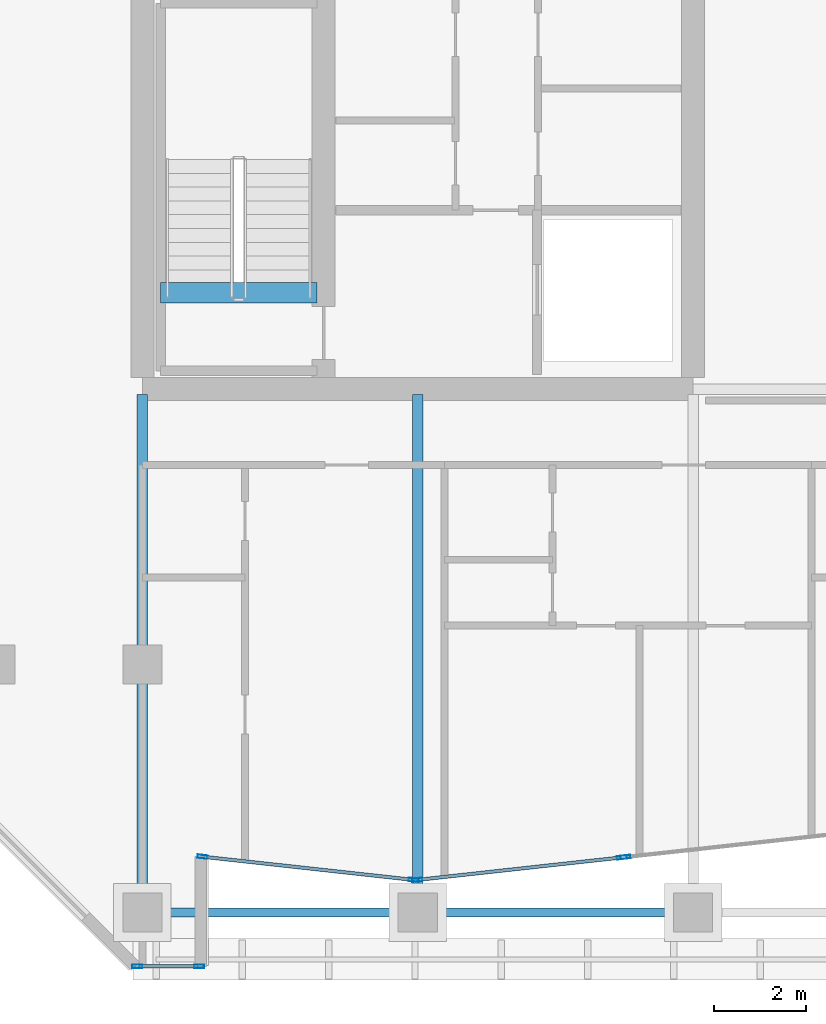
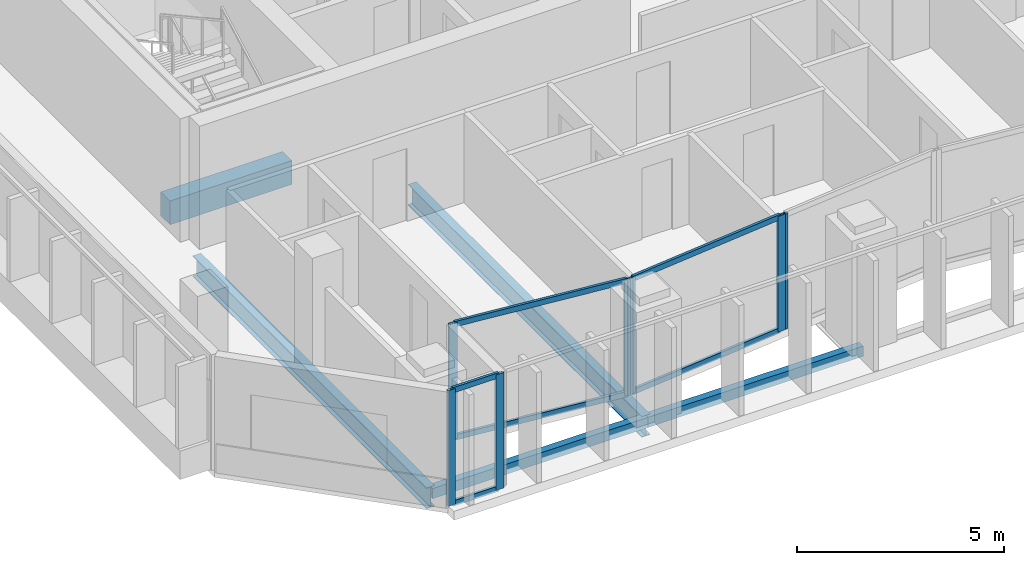
# One storey, part 2 of 29: 13 members, 5 beams, 4 elements without a shape of their own.
"""IFC4 building model written with IfcOpenShell, lengths in metres."""

from ifc_helpers import new_model, si_unit, direction, frame, origin, origin_2d, place, context, subcontext, project, spatial, rectangle, hollow_rectangle, i_section, extrude, material, layer, layer_set, material_profile, profile_set, type_object, element, aggregate, save


model = new_model("IFC4")

# Units and contexts
model_context = context("Model", 3, precision=1e-05, world=origin(), true_north=direction((0.0, 1.0)))
body_context = subcontext(model_context, "Body", "Model", "MODEL_VIEW")
ifc_project = project(units=[si_unit("LENGTHUNIT", "METRE"), si_unit("AREAUNIT", "SQUARE_METRE"), si_unit("VOLUMEUNIT", "CUBIC_METRE"), si_unit("PLANEANGLEUNIT", "RADIAN"), si_unit("MASSUNIT", "GRAM", prefix="KILO")], contexts=[model_context])

# Site, building, storey
site_placement = place(None, origin())
site = spatial("IfcSite", under=ifc_project, at=site_placement, CompositionType="ELEMENT")
building_placement = place(site_placement, origin())
building = spatial("IfcBuilding", under=site, at=building_placement, Name="Tanjung Sevakor Pilgrim Tower", CompositionType="ELEMENT")
storey_placement = place(building_placement, frame((0.0, 0.0, 162.030029296875)))
storey = spatial("IfcBuildingStorey", under=building, at=storey_placement, Name="L45", CompositionType="ELEMENT", Elevation=162.030029296875)

# Beams
ifc_material_1 = material(Name="Steel S355J2", Category="steel")
ifc_material_profile_1 = material_profile(ifc_material_1, i_section(OverallWidth=0.22900390625, OverallDepth=0.6123046875, WebThickness=0.011962890625, FlangeThickness=0.01953125, FilletRadius=0.0126953125, at=origin_2d()))
ifc_profile_set_1 = profile_set([ifc_material_profile_1], Name="Steel S355J2")
beam_type_1 = type_object("IfcBeamType", Name="BM-B-G4-UB_610x229x125", PredefinedType="BEAM", material=ifc_profile_set_1)
for number, where, z_axis, x_axis, name in (
    (1, (24.0, 13.199951171875, -0.526123046875), (0.0, 1.0, 0.0), (-1.0, 0.0, 0.0), "L45 MAIN Girder 001"),
    (2, (30.0, 13.199951171875, -0.526123046875), (0.0, 1.0, 0.0), (-1.0, 0.0, 0.0), "L45 MAIN Girder 003"),
):
    element("IfcBeam", number, at=place(storey_placement, frame(where, z_axis=z_axis, x_axis=x_axis)), inside=storey, type_object=beam_type_1, Name=name, PredefinedType="BEAM", context=body_context, shape_type="SweptSolid", body=[
        extrude(i_section(OverallWidth=0.22900390625, OverallDepth=0.6123046875, WebThickness=0.011962890625, FlangeThickness=0.01953125, FilletRadius=0.0126953125, at=origin_2d()), origin(), (0.0, 0.0, 1.0), 11.284912109375),
    ])
ifc_material_2 = material(Name="Concrete C60/75", Category="concrete")
ifc_material_profile_2 = material_profile(ifc_material_2, rectangle(XDim=0.449951171875, YDim=0.699951171875, at=origin_2d()))
ifc_profile_set_2 = profile_set([ifc_material_profile_2], Name="Concrete C60/75")
beam_type_2 = type_object("IfcBeamType", Name="BM-B-LN3-RC-BM_450x700", PredefinedType="LINTEL", material=ifc_profile_set_2)
beam_placement = place(storey_placement, frame((24.39990234375, 26.699951171875, -0.35009765625), z_axis=(1.0, 0.0, 0.0), x_axis=(0.0, 1.0, 0.0)))
element("IfcBeam", 3, at=beam_placement, inside=storey, type_object=beam_type_2, Name="L45 TS-W1 Stair Threshold Beam", PredefinedType="LINTEL", context=body_context, shape_type="SweptSolid", body=[
    extrude(rectangle(XDim=0.449951171875, YDim=0.699951171875, at=origin_2d()), origin(), (0.0, 0.0, 1.0), 3.400146484375),
])
ifc_material_3 = material(Name="Steel S355J2", Category="steel")
ifc_material_profile_3 = material_profile(ifc_material_3, hollow_rectangle(XDim=0.199951171875, YDim=0.300048828125, WallThickness=0.012451171875, at=origin_2d()))
ifc_profile_set_3 = profile_set([ifc_material_profile_3], Name="Steel S355J2")
beam_type_3 = type_object("IfcBeamType", Name="BM-B-SP3-RHS_300x200x12.5", PredefinedType="SPANDREL", material=ifc_profile_set_3)
for number, where, z_axis, x_axis, name in (
    (4, (24.0, 13.199951171875, -0.3701171875), (1.0, 0.0, 0.0), (0.0, 1.0, 0.0), "L45 Spandrel MAIN S-01"),
    (5, (30.0, 13.199951171875, -0.3701171875), (1.0, 0.0, 0.0), (0.0, 1.0, 0.0), "L45 Spandrel MAIN S-03"),
):
    element("IfcBeam", number, at=place(storey_placement, frame(where, z_axis=z_axis, x_axis=x_axis)), inside=storey, type_object=beam_type_3, Name=name, PredefinedType="SPANDREL", context=body_context, shape_type="SweptSolid", body=[
        extrude(hollow_rectangle(XDim=0.199951171875, YDim=0.300048828125, WallThickness=0.012451171875, at=origin_2d()), origin(), (0.0, 0.0, 1.0), 6.0),
    ])

# Curtain wall, members
ifc_material_4 = material(Name="Aluminium 6063-T6 and Low-E Glass", Category="aluminium")
ifc_layer = layer(ifc_material_4, 0.199951171875)
ifc_layer_set = layer_set([ifc_layer], Name="CW-SYS-PRAY")
curtain_wall_type = type_object("IfcCurtainWallType", Name="CW-SYS-PRAY", PredefinedType="NOTDEFINED", material=ifc_layer_set)
curtain_wall_1_placement = place(storey_placement, origin())
curtain_wall_1 = element("IfcCurtainWall", 6, at=curtain_wall_1_placement, inside=storey, type_object=curtain_wall_type, Name="L45 Curtain Wall CW-PRY-L45-0", PredefinedType="NOTDEFINED")
ifc_material_5 = material(Name="Aluminium 6063-T6", Category="aluminium")
ifc_material_profile_4 = material_profile(ifc_material_5, hollow_rectangle(XDim=0.074951171875, YDim=0.219970703125, WallThickness=0.0048828125, at=origin_2d()))
ifc_profile_set_4 = profile_set([ifc_material_profile_4], Name="Aluminium 6063-T6")
member_type_1 = type_object("IfcMemberType", Name="TYPE-CWM-2", PredefinedType="MULLION", material=ifc_profile_set_4)
member_1_placement = place(storey_placement, frame((23.889404296875, 12.02490234375, 0.0), z_axis=(0.0, 0.0, 1.0), x_axis=(0.0, 1.0, 0.0)))
member_1 = element("IfcMember", 7, at=member_1_placement, type_object=member_type_1, Name="CW-PRY mullion 1", PredefinedType="MULLION", context=body_context, shape_type="SweptSolid", body=[
    extrude(hollow_rectangle(XDim=0.074951171875, YDim=0.219970703125, WallThickness=0.0048828125, at=origin_2d()), origin(), (0.0, 0.0, 1.0), 3.409912109375),
])
member_2_placement = place(storey_placement, frame((25.237548828125, 12.02490234375, 0.0), z_axis=(0.0, 0.0, 1.0), x_axis=(0.0, 1.0, 0.0)))
member_2 = element("IfcMember", 8, at=member_2_placement, type_object=member_type_1, Name="CW-PRY mullion 2", PredefinedType="MULLION", context=body_context, shape_type="SweptSolid", body=[
    extrude(hollow_rectangle(XDim=0.074951171875, YDim=0.219970703125, WallThickness=0.0048828125, at=origin_2d()), origin(), (0.0, 0.0, 1.0), 3.409912109375),
])

curtain_wall_2_placement = place(storey_placement, origin())
curtain_wall_2 = element("IfcCurtainWall", 9, at=curtain_wall_2_placement, inside=storey, type_object=curtain_wall_type, Name="L45 Curtain Wall CW-PRY-L45-2", PredefinedType="NOTDEFINED")
member_3_placement = place(storey_placement, frame((25.312255859375, 14.415283203125, 0.0), z_axis=(0.0, 0.0, 1.0), x_axis=(0.109224933332, 0.994017059179, 0.0)))
member_3 = element("IfcMember", 10, at=member_3_placement, type_object=member_type_1, Name="CW-PRY mullion 1", PredefinedType="MULLION", context=body_context, shape_type="SweptSolid", body=[
    extrude(hollow_rectangle(XDim=0.074951171875, YDim=0.219970703125, WallThickness=0.0048828125, at=origin_2d()), origin(), (0.0, 0.0, 1.0), 3.409912109375),
])
member_4_placement = place(storey_placement, frame((29.912841796875, 13.909912109375, 0.0), z_axis=(0.0, 0.0, 1.0), x_axis=(0.109224933332, 0.994017059179, 0.0)))
member_4 = element("IfcMember", 11, at=member_4_placement, type_object=member_type_1, Name="CW-PRY mullion 2", PredefinedType="MULLION", context=body_context, shape_type="SweptSolid", body=[
    extrude(hollow_rectangle(XDim=0.074951171875, YDim=0.219970703125, WallThickness=0.0048828125, at=origin_2d()), origin(), (0.0, 0.0, 1.0), 3.409912109375),
])

curtain_wall_3_placement = place(storey_placement, origin())
curtain_wall_3 = element("IfcCurtainWall", 12, at=curtain_wall_3_placement, inside=storey, type_object=curtain_wall_type, Name="L45 Curtain Wall CW-PRY-L45-3", PredefinedType="NOTDEFINED")
member_5_placement = place(storey_placement, frame((29.9873046875, 13.909912109375, 0.0), z_axis=(0.0, 0.0, 1.0), x_axis=(-0.109233741488, 0.994016091278, 0.0)))
member_5 = element("IfcMember", 13, at=member_5_placement, type_object=member_type_1, Name="CW-PRY mullion 1", PredefinedType="MULLION", context=body_context, shape_type="SweptSolid", body=[
    extrude(hollow_rectangle(XDim=0.074951171875, YDim=0.219970703125, WallThickness=0.0048828125, at=origin_2d()), origin(), (0.0, 0.0, 1.0), 3.409912109375),
])
member_6_placement = place(storey_placement, frame((34.448974609375, 14.400146484375, 0.0), z_axis=(0.0, 0.0, 1.0), x_axis=(-0.109233741488, 0.994016091278, 0.0)))
member_6 = element("IfcMember", 14, at=member_6_placement, type_object=member_type_1, Name="CW-PRY mullion 2", PredefinedType="MULLION", context=body_context, shape_type="SweptSolid", body=[
    extrude(hollow_rectangle(XDim=0.074951171875, YDim=0.219970703125, WallThickness=0.0048828125, at=origin_2d()), origin(), (0.0, 0.0, 1.0), 3.409912109375),
])

# Curtain wall, member
curtain_wall_4_placement = place(storey_placement, origin())
curtain_wall_4 = element("IfcCurtainWall", 15, at=curtain_wall_4_placement, inside=storey, type_object=curtain_wall_type, Name="L45 Curtain Wall CW-PRY-L45-4", PredefinedType="NOTDEFINED")
member_7_placement = place(storey_placement, frame((34.523681640625, 14.408447265625, 0.0), z_axis=(0.0, 0.0, 1.0), x_axis=(-0.109231369397, 0.994016351948, 0.0)))
member_7 = element("IfcMember", 16, at=member_7_placement, type_object=member_type_1, Name="CW-PRY mullion 1", PredefinedType="MULLION", context=body_context, shape_type="SweptSolid", body=[
    extrude(hollow_rectangle(XDim=0.074951171875, YDim=0.219970703125, WallThickness=0.0048828125, at=origin_2d()), origin(), (0.0, 0.0, 1.0), 3.409912109375),
])
aggregate(curtain_wall_4, [member_7])

# Member
ifc_material_6 = material(Name="Aluminium 6063-T6", Category="aluminium")
ifc_material_profile_5 = material_profile(ifc_material_6, hollow_rectangle(XDim=0.074951171875, YDim=0.159912109375, WallThickness=0.00439453125, at=origin_2d()))
ifc_profile_set_5 = profile_set([ifc_material_profile_5], Name="Aluminium 6063-T6")
member_type_2 = type_object("IfcMemberType", Name="TYPE-CWT-2", PredefinedType="USERDEFINED", material=ifc_profile_set_5)
member_8_placement = place(storey_placement, frame((23.9267578125, 12.02490234375, 0.037353515625), z_axis=(1.0, 0.0, 0.0), x_axis=(0.0, 1.0, 0.0)))
member_8 = element("IfcMember", 17, at=member_8_placement, type_object=member_type_2, Name="CW-PRY transom 1.1", ObjectType="TRANSOM", PredefinedType="USERDEFINED", context=body_context, shape_type="SweptSolid", body=[
    extrude(hollow_rectangle(XDim=0.074951171875, YDim=0.159912109375, WallThickness=0.00439453125, at=origin_2d()), origin(), (0.0, 0.0, 1.0), 1.273193359375),
])

member_9_placement = place(storey_placement, frame((23.9267578125, 12.02490234375, 3.37255859375), z_axis=(1.0, 0.0, 0.0), x_axis=(0.0, 1.0, 0.0)))
member_9 = element("IfcMember", 18, at=member_9_placement, type_object=member_type_2, Name="CW-PRY transom 1.2", ObjectType="TRANSOM", PredefinedType="USERDEFINED", context=body_context, shape_type="SweptSolid", body=[
    extrude(hollow_rectangle(XDim=0.074951171875, YDim=0.159912109375, WallThickness=0.00439453125, at=origin_2d()), origin(), (0.0, 0.0, 1.0), 1.273193359375),
])

aggregate(curtain_wall_1, [member_1, member_2, member_8, member_9])

member_10_placement = place(storey_placement, frame((25.349609375, 14.411376953125, 0.037353515625), z_axis=(0.9940170537, -0.109224983191, 0.0), x_axis=(0.109224983191, 0.9940170537, 0.0)))
member_10 = element("IfcMember", 19, at=member_10_placement, type_object=member_type_2, Name="CW-PRY transom 1.1", ObjectType="TRANSOM", PredefinedType="USERDEFINED", context=body_context, shape_type="SweptSolid", body=[
    extrude(hollow_rectangle(XDim=0.074951171875, YDim=0.159912109375, WallThickness=0.00439453125, at=origin_2d()), origin(), (0.0, 0.0, 1.0), 4.55322265625),
])

member_11_placement = place(storey_placement, frame((25.349609375, 14.411376953125, 3.37255859375), z_axis=(0.9940170537, -0.109224983191, 0.0), x_axis=(0.109224983191, 0.9940170537, 0.0)))
member_11 = element("IfcMember", 20, at=member_11_placement, type_object=member_type_2, Name="CW-PRY transom 1.2", ObjectType="TRANSOM", PredefinedType="USERDEFINED", context=body_context, shape_type="SweptSolid", body=[
    extrude(hollow_rectangle(XDim=0.074951171875, YDim=0.159912109375, WallThickness=0.00439453125, at=origin_2d()), origin(), (0.0, 0.0, 1.0), 4.55322265625),
])

aggregate(curtain_wall_2, [member_3, member_4, member_10, member_11])

member_12_placement = place(storey_placement, frame((30.024658203125, 13.9140625, 0.037353515625), z_axis=(0.994020577292, 0.109192911495, 0.0), x_axis=(-0.109192911495, 0.994020577292, 0.0)))
member_12 = element("IfcMember", 21, at=member_12_placement, type_object=member_type_2, Name="CW-PRY transom 1.1", ObjectType="TRANSOM", PredefinedType="USERDEFINED", context=body_context, shape_type="SweptSolid", body=[
    extrude(hollow_rectangle(XDim=0.074951171875, YDim=0.159912109375, WallThickness=0.00439453125, at=origin_2d()), origin(), (0.0, 0.0, 1.0), 4.41357421875),
])

member_13_placement = place(storey_placement, frame((30.024658203125, 13.9140625, 3.37255859375), z_axis=(0.994020577292, 0.109192911495, 0.0), x_axis=(-0.109192911495, 0.994020577292, 0.0)))
member_13 = element("IfcMember", 22, at=member_13_placement, type_object=member_type_2, Name="CW-PRY transom 1.2", ObjectType="TRANSOM", PredefinedType="USERDEFINED", context=body_context, shape_type="SweptSolid", body=[
    extrude(hollow_rectangle(XDim=0.074951171875, YDim=0.159912109375, WallThickness=0.00439453125, at=origin_2d()), origin(), (0.0, 0.0, 1.0), 4.41357421875),
])

aggregate(curtain_wall_3, [member_5, member_6, member_12, member_13])

save(model, "model.ifc")
